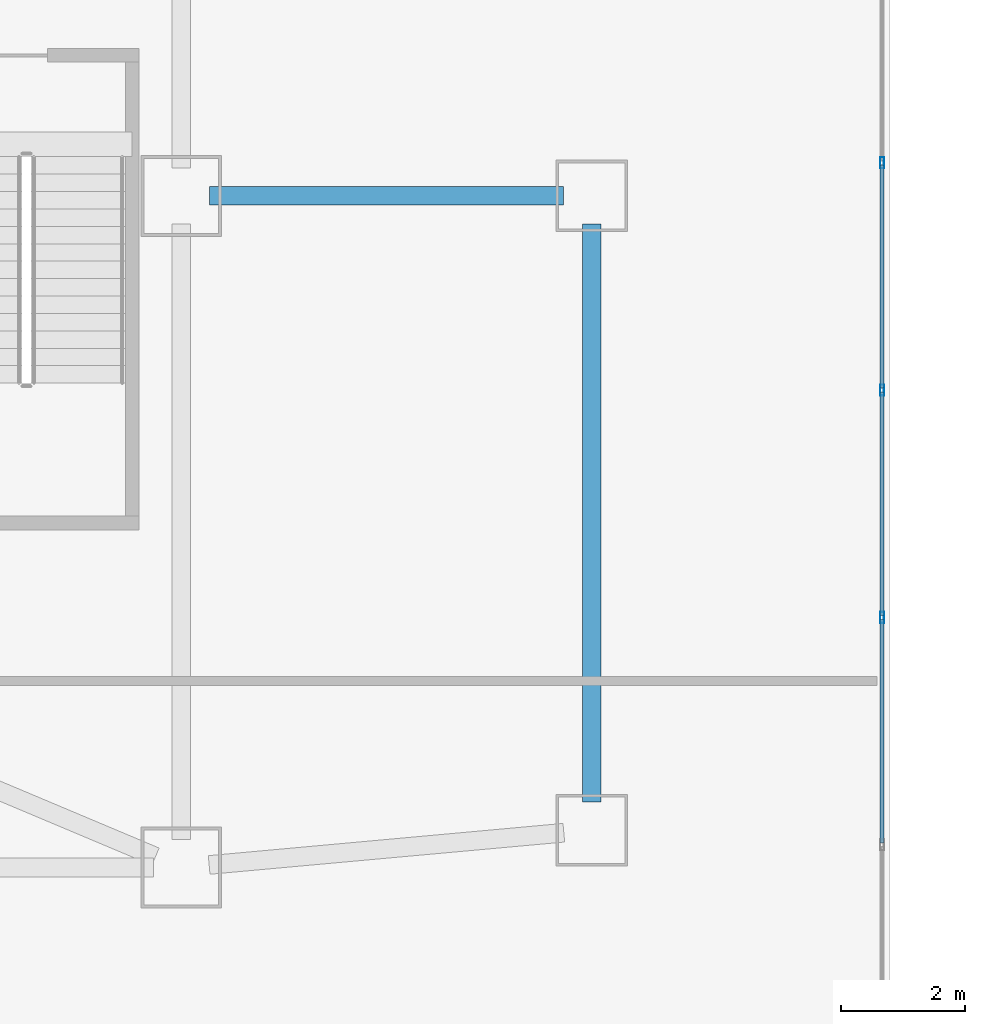
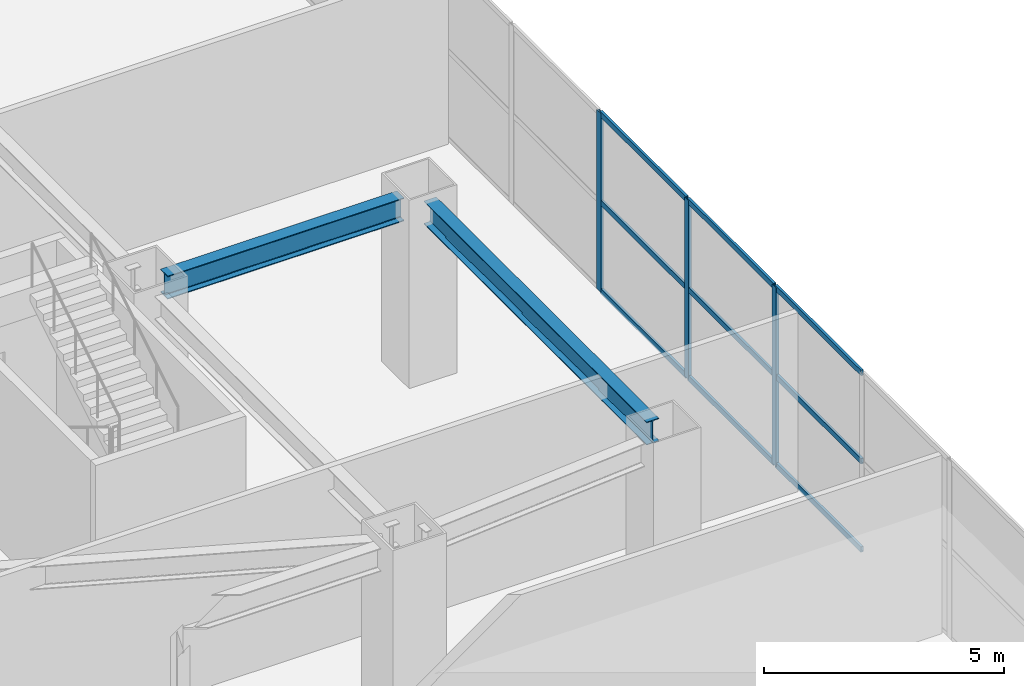
# One storey, part 19 of 31: 12 members, 2 beams, 1 element without a shape of its own.
"""IFC4 building model written with IfcOpenShell, lengths in metres."""

from ifc_helpers import new_model, si_unit, direction, frame, origin, origin_2d, place, context, subcontext, project, spatial, hollow_rectangle, i_section, extrude, material, layer, layer_set, material_profile, profile_set, type_object, element, aggregate, save


model = new_model("IFC4")

# Units and contexts
model_context = context("Model", 3, precision=1e-05, world=origin(), true_north=direction((0.0, 1.0)))
body_context = subcontext(model_context, "Body", "Model", "MODEL_VIEW")
ifc_project = project(units=[si_unit("LENGTHUNIT", "METRE"), si_unit("AREAUNIT", "SQUARE_METRE"), si_unit("VOLUMEUNIT", "CUBIC_METRE"), si_unit("PLANEANGLEUNIT", "RADIAN"), si_unit("MASSUNIT", "GRAM", prefix="KILO")], contexts=[model_context])

# Site, building, storey
site_placement = place(None, origin())
site = spatial("IfcSite", under=ifc_project, at=site_placement, CompositionType="ELEMENT")
building_placement = place(site_placement, origin())
building = spatial("IfcBuilding", under=site, at=building_placement, Name="Haolan Belvedere Tower", CompositionType="ELEMENT")
storey_placement = place(building_placement, frame((0.0, 0.0, 5.39990234375)))
storey = spatial("IfcBuildingStorey", under=building, at=storey_placement, Name="L01", CompositionType="ELEMENT", Elevation=5.39990234375)

# Beams
ifc_material_1 = material(Name="Steel Q355B", Category="steel")
ifc_material_profile_1 = material_profile(ifc_material_1, i_section(OverallWidth=0.300048828125, OverallDepth=0.587890625, WebThickness=0.011962890625, FlangeThickness=0.02001953125, FilletRadius=0.028076171875, at=origin_2d()), Name="Steel Q355B")
ifc_profile_set_1 = profile_set([ifc_material_profile_1], Name="Steel Q355B")
beam_type = type_object("IfcBeamType", Name="BM-HM588x300x12x20", PredefinedType="SPANDREL", material=ifc_profile_set_1)
beam_1_placement = place(storey_placement, frame((70.800048828125, 17.85009765625, 4.26611328125), z_axis=(0.0, 1.0, 0.0), x_axis=(-1.0, 0.0, 0.0)))
element("IfcBeam", 1, at=beam_1_placement, inside=storey, type_object=beam_type, Name="L01 spandrel girder MC-T5-SE-MC-T5-NE", PredefinedType="SPANDREL", context=body_context, shape_type="SweptSolid", body=[
    extrude(i_section(OverallWidth=0.300048828125, OverallDepth=0.587890625, WebThickness=0.011962890625, FlangeThickness=0.02001953125, FilletRadius=0.028076171875, at=origin_2d()), origin(), (0.0, 0.0, 1.0), 9.2998046875),
])
beam_2_placement = place(storey_placement, frame((64.64990234375, 27.60009765625, 4.26611328125), z_axis=(1.0, 0.0, 0.0), x_axis=(0.0, 1.0, 0.0)))
element("IfcBeam", 2, at=beam_2_placement, inside=storey, type_object=beam_type, Name="L01 spandrel girder MC-T4-ME-MC-T5-NE", PredefinedType="SPANDREL", context=body_context, shape_type="SweptSolid", body=[
    extrude(i_section(OverallWidth=0.300048828125, OverallDepth=0.587890625, WebThickness=0.011962890625, FlangeThickness=0.02001953125, FilletRadius=0.028076171875, at=origin_2d()), origin(), (0.0, 0.0, 1.0), 5.7001953125),
])

# Curtain wall, members
ifc_material_2 = material(Name="Anodised champagne-silver aluminium 6063-T6 and Low-E glass", Category="aluminium")
ifc_layer = layer(ifc_material_2, 0.179931640625, Name="Anodised champagne-silver aluminium 6063-T6 and Low-E glass")
ifc_layer_set = layer_set([ifc_layer], Name="Anodised champagne-silver aluminium 6063-T6 and Low-E glass")
curtain_wall_type = type_object("IfcCurtainWallType", Name="CW-SYS-01", PredefinedType="NOTDEFINED", material=ifc_layer_set)
curtain_wall_placement = place(storey_placement, origin())
curtain_wall = element("IfcCurtainWall", 3, at=curtain_wall_placement, inside=storey, type_object=curtain_wall_type, Name="L01 CW-SYS-01 ribbon curtain wall 2.1", PredefinedType="NOTDEFINED")
ifc_material_3 = material(Name="Anodised aluminium 6063-T6", Category="aluminium")
ifc_material_profile_2 = material_profile(ifc_material_3, hollow_rectangle(XDim=0.06494140625, YDim=0.179931640625, WallThickness=0.00390625, at=origin_2d()), Name="Anodised aluminium 6063-T6")
ifc_profile_set_2 = profile_set([ifc_material_profile_2], Name="Anodised aluminium 6063-T6")
member_type_1 = type_object("IfcMemberType", Name="CW-SYS-01-MUL", PredefinedType="MULLION", material=ifc_profile_set_2)
member_1_placement = place(storey_placement, frame((75.469970703125, 20.8203125, 0.0), z_axis=(0.0, 0.0, 1.0), x_axis=(-1.0, 0.0, 0.0)))
member_1 = element("IfcMember", 4, at=member_1_placement, type_object=member_type_1, Name="CW-01 mullion 5", PredefinedType="MULLION", context=body_context, shape_type="SweptSolid", body=[
    extrude(hollow_rectangle(XDim=0.06494140625, YDim=0.179931640625, WallThickness=0.00390625, at=origin_2d()), origin(), (0.0, 0.0, 1.0), 4.56005859375),
])
member_2_placement = place(storey_placement, frame((75.469970703125, 24.47705078125, 0.0), z_axis=(0.0, 0.0, 1.0), x_axis=(-1.0, 0.0, 0.0)))
member_2 = element("IfcMember", 5, at=member_2_placement, type_object=member_type_1, Name="CW-01 mullion 6", PredefinedType="MULLION", context=body_context, shape_type="SweptSolid", body=[
    extrude(hollow_rectangle(XDim=0.06494140625, YDim=0.179931640625, WallThickness=0.00390625, at=origin_2d()), origin(), (0.0, 0.0, 1.0), 4.56005859375),
])
member_3_placement = place(storey_placement, frame((75.469970703125, 28.133544921875, 0.0), z_axis=(0.0, 0.0, 1.0), x_axis=(-1.0, 0.0, 0.0)))
member_3 = element("IfcMember", 6, at=member_3_placement, type_object=member_type_1, Name="CW-01 mullion 7", PredefinedType="MULLION", context=body_context, shape_type="SweptSolid", body=[
    extrude(hollow_rectangle(XDim=0.06494140625, YDim=0.179931640625, WallThickness=0.00390625, at=origin_2d()), origin(), (0.0, 0.0, 1.0), 4.56005859375),
])
ifc_material_profile_3 = material_profile(ifc_material_3, hollow_rectangle(XDim=0.06005859375, YDim=0.139892578125, WallThickness=0.00390625, at=origin_2d()), Name="Anodised aluminium 6063-T6")
ifc_profile_set_3 = profile_set([ifc_material_profile_3], Name="Anodised aluminium 6063-T6")
member_type_2 = type_object("IfcMemberType", Name="CW-SYS-01-TRN", PredefinedType="USERDEFINED", material=ifc_profile_set_3)
member_4_placement = place(storey_placement, frame((75.469970703125, 17.1962890625, 0.030029296875), z_axis=(0.0, 1.0, 0.0), x_axis=(-1.0, 0.0, 0.0)))
member_4 = element("IfcMember", 7, at=member_4_placement, type_object=member_type_2, Name="CW-01 transom 4.1", ObjectType="TRANSOM", PredefinedType="USERDEFINED", context=body_context, shape_type="SweptSolid", body=[
    extrude(hollow_rectangle(XDim=0.06005859375, YDim=0.139892578125, WallThickness=0.00390625, at=origin_2d()), origin(), (0.0, 0.0, 1.0), 3.591552734375),
])
member_5_placement = place(storey_placement, frame((75.469970703125, 17.1962890625, 2.280029296875), z_axis=(0.0, 1.0, 0.0), x_axis=(-1.0, 0.0, 0.0)))
member_5 = element("IfcMember", 8, at=member_5_placement, type_object=member_type_2, Name="CW-01 transom 4.2", ObjectType="TRANSOM", PredefinedType="USERDEFINED", context=body_context, shape_type="SweptSolid", body=[
    extrude(hollow_rectangle(XDim=0.06005859375, YDim=0.139892578125, WallThickness=0.00390625, at=origin_2d()), origin(), (0.0, 0.0, 1.0), 3.591552734375),
])
member_6_placement = place(storey_placement, frame((75.469970703125, 17.1962890625, 4.530029296875), z_axis=(0.0, 1.0, 0.0), x_axis=(-1.0, 0.0, 0.0)))
member_6 = element("IfcMember", 9, at=member_6_placement, type_object=member_type_2, Name="CW-01 transom 4.3", ObjectType="TRANSOM", PredefinedType="USERDEFINED", context=body_context, shape_type="SweptSolid", body=[
    extrude(hollow_rectangle(XDim=0.06005859375, YDim=0.139892578125, WallThickness=0.00390625, at=origin_2d()), origin(), (0.0, 0.0, 1.0), 3.591552734375),
])
member_7_placement = place(storey_placement, frame((75.469970703125, 20.852783203125, 0.030029296875), z_axis=(0.0, 1.0, 0.0), x_axis=(-1.0, 0.0, 0.0)))
member_7 = element("IfcMember", 10, at=member_7_placement, type_object=member_type_2, Name="CW-01 transom 5.1", ObjectType="TRANSOM", PredefinedType="USERDEFINED", context=body_context, shape_type="SweptSolid", body=[
    extrude(hollow_rectangle(XDim=0.06005859375, YDim=0.139892578125, WallThickness=0.00390625, at=origin_2d()), origin(), (0.0, 0.0, 1.0), 3.591552734375),
])
member_8_placement = place(storey_placement, frame((75.469970703125, 20.852783203125, 2.280029296875), z_axis=(0.0, 1.0, 0.0), x_axis=(-1.0, 0.0, 0.0)))
member_8 = element("IfcMember", 11, at=member_8_placement, type_object=member_type_2, Name="CW-01 transom 5.2", ObjectType="TRANSOM", PredefinedType="USERDEFINED", context=body_context, shape_type="SweptSolid", body=[
    extrude(hollow_rectangle(XDim=0.06005859375, YDim=0.139892578125, WallThickness=0.00390625, at=origin_2d()), origin(), (0.0, 0.0, 1.0), 3.591552734375),
])
member_9_placement = place(storey_placement, frame((75.469970703125, 20.852783203125, 4.530029296875), z_axis=(0.0, 1.0, 0.0), x_axis=(-1.0, 0.0, 0.0)))
member_9 = element("IfcMember", 12, at=member_9_placement, type_object=member_type_2, Name="CW-01 transom 5.3", ObjectType="TRANSOM", PredefinedType="USERDEFINED", context=body_context, shape_type="SweptSolid", body=[
    extrude(hollow_rectangle(XDim=0.06005859375, YDim=0.139892578125, WallThickness=0.00390625, at=origin_2d()), origin(), (0.0, 0.0, 1.0), 3.591552734375),
])
member_10_placement = place(storey_placement, frame((75.469970703125, 24.509521484375, 0.030029296875), z_axis=(0.0, 1.0, 0.0), x_axis=(-1.0, 0.0, 0.0)))
member_10 = element("IfcMember", 13, at=member_10_placement, type_object=member_type_2, Name="CW-01 transom 6.1", ObjectType="TRANSOM", PredefinedType="USERDEFINED", context=body_context, shape_type="SweptSolid", body=[
    extrude(hollow_rectangle(XDim=0.06005859375, YDim=0.139892578125, WallThickness=0.00390625, at=origin_2d()), origin(), (0.0, 0.0, 1.0), 3.591552734375),
])
member_11_placement = place(storey_placement, frame((75.469970703125, 24.509521484375, 2.280029296875), z_axis=(0.0, 1.0, 0.0), x_axis=(-1.0, 0.0, 0.0)))
member_11 = element("IfcMember", 14, at=member_11_placement, type_object=member_type_2, Name="CW-01 transom 6.2", ObjectType="TRANSOM", PredefinedType="USERDEFINED", context=body_context, shape_type="SweptSolid", body=[
    extrude(hollow_rectangle(XDim=0.06005859375, YDim=0.139892578125, WallThickness=0.00390625, at=origin_2d()), origin(), (0.0, 0.0, 1.0), 3.591552734375),
])
member_12_placement = place(storey_placement, frame((75.469970703125, 24.509521484375, 4.530029296875), z_axis=(0.0, 1.0, 0.0), x_axis=(-1.0, 0.0, 0.0)))
member_12 = element("IfcMember", 15, at=member_12_placement, type_object=member_type_2, Name="CW-01 transom 6.3", ObjectType="TRANSOM", PredefinedType="USERDEFINED", context=body_context, shape_type="SweptSolid", body=[
    extrude(hollow_rectangle(XDim=0.06005859375, YDim=0.139892578125, WallThickness=0.00390625, at=origin_2d()), origin(), (0.0, 0.0, 1.0), 3.591552734375),
])
aggregate(curtain_wall, [member_1, member_2, member_3, member_4, member_5, member_6, member_7, member_8, member_9, member_10, member_11, member_12])

save(model, "model.ifc")
